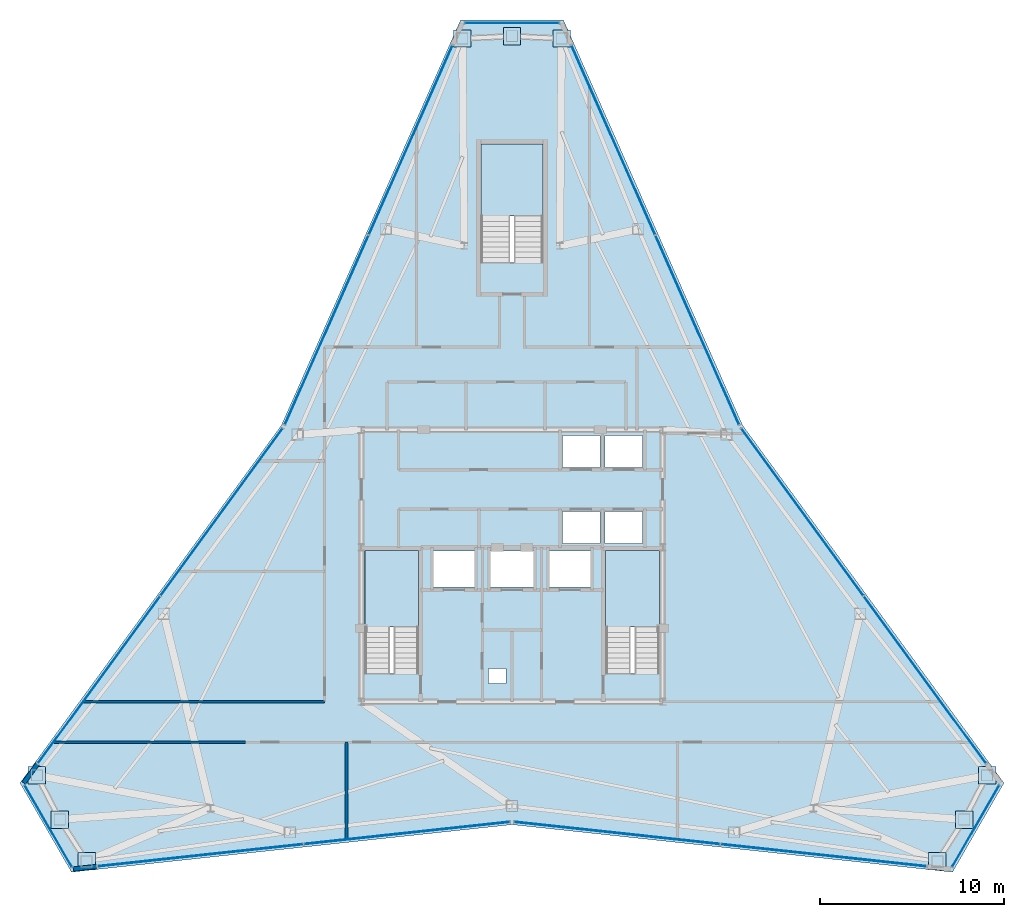
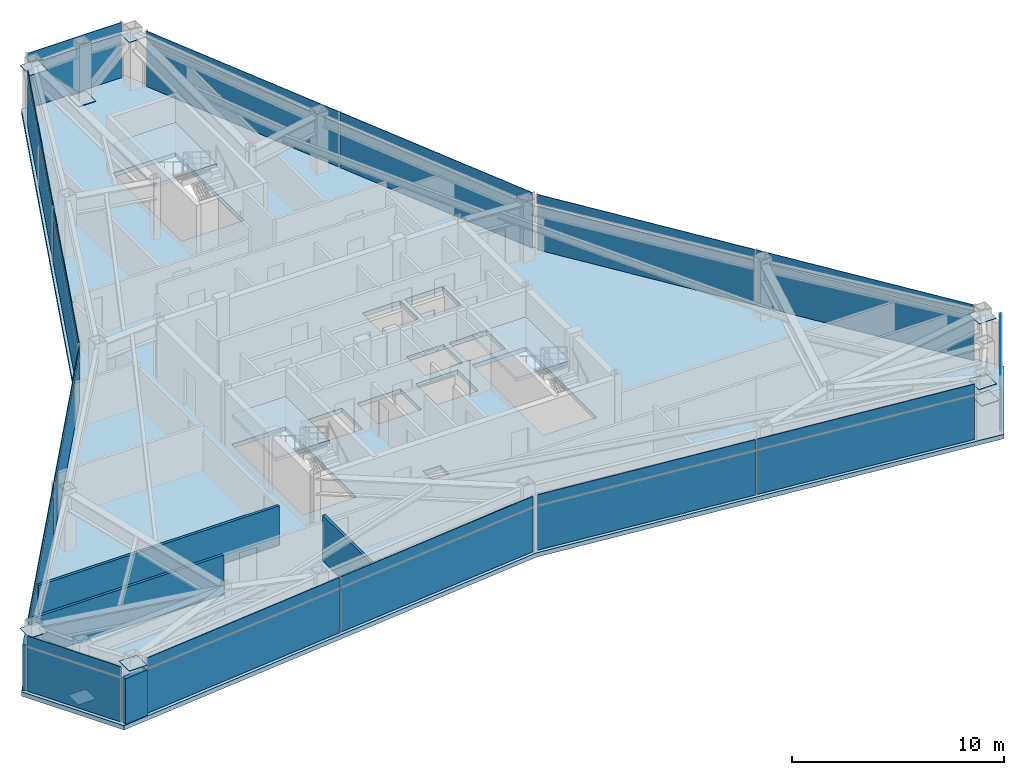
# One storey, part 8 of 12: 39 plates, 5 walls, 4 slabs, 12 elements without a shape of their own.
"""IFC4 building model written with IfcOpenShell, lengths in metres."""

from ifc_helpers import new_model, si_unit, direction, frame, frame_2d, origin, origin_2d, place, context, subcontext, project, spatial, polyline, rectangle, outline, extrude, source, transform, mapped, material, layer, layer_set, type_object, type_shapes, element, aggregate, save


model = new_model("IFC4")

# Units and contexts
model_context = context("Model", 3, precision=1e-05, world=origin(), true_north=direction((0.0, 1.0)))
body_context = subcontext(model_context, "Body", "Model", "MODEL_VIEW")
ifc_project = project(units=[si_unit("LENGTHUNIT", "METRE"), si_unit("AREAUNIT", "SQUARE_METRE"), si_unit("VOLUMEUNIT", "CUBIC_METRE"), si_unit("PLANEANGLEUNIT", "RADIAN"), si_unit("MASSUNIT", "GRAM", prefix="KILO")], contexts=[model_context])

# Site, building, storey
site_placement = place(None, origin())
site = spatial("IfcSite", under=ifc_project, at=site_placement, CompositionType="ELEMENT")
building_placement = place(site_placement, origin())
building = spatial("IfcBuilding", under=site, at=building_placement, Name="Varakhsha Concourse Tower", CompositionType="ELEMENT")
storey_placement = place(building_placement, frame((0.0, 0.0, 272.5)))
storey = spatial("IfcBuildingStorey", under=building, at=storey_placement, Name="L77", CompositionType="ELEMENT", Elevation=272.5)

# Slab
ifc_material_1 = material(Name="Concrete fc 45 MPa", Category="concrete")
ifc_layer_1 = layer(ifc_material_1, 0.25, Name="SL-FLR-250")
ifc_layer_set_1 = layer_set([ifc_layer_1], Name="Concrete fc 45 MPa")
slab_type_1 = type_object("IfcSlabType", Name="SL-FLR-250", PredefinedType="FLOOR", material=ifc_layer_set_1)
slab_1_placement = place(storey_placement, frame((0.0, 0.0, -0.25)))
element("IfcSlab", 1, at=slab_1_placement, inside=storey, type_object=slab_type_1, Name="L77 Composite Structural Slab", PredefinedType="FLOOR", context=body_context, shape_type="SweptSolid", body=[
    extrude(outline(polyline([(42.800048828125, 53.4970703125), (37.199951171875, 53.4970703125), (27.45263671875, 31.444091796875), (13.22802734375, 11.976318359375), (16.028076171875, 7.126708984375), (40.0, 9.711669921875), (63.971923828125, 7.126708984375), (66.77197265625, 11.976318359375), (52.54736328125, 31.444091796875), (42.800048828125, 53.4970703125)]), holes=[polyline([(34.919921875, 17.93994140625), (34.919921875, 24.6298828125), (32.0, 24.6298828125), (32.0, 17.93994140625), (34.919921875, 17.93994140625)]), polyline([(48.02001953125, 17.93994140625), (48.02001953125, 24.6298828125), (45.10009765625, 24.6298828125), (45.10009765625, 17.93994140625), (48.02001953125, 17.93994140625)]), polyline([(41.699951171875, 40.300048828125), (41.699951171875, 46.75), (38.300048828125, 46.75), (38.300048828125, 40.300048828125), (41.699951171875, 40.300048828125)]), polyline([(42.739990234375, 29.159912109375), (44.780029296875, 29.159912109375), (44.780029296875, 30.89990234375), (42.739990234375, 30.89990234375), (42.739990234375, 29.159912109375)]), polyline([(45.06005859375, 29.159912109375), (47.10009765625, 29.159912109375), (47.10009765625, 30.89990234375), (45.06005859375, 30.89990234375), (45.06005859375, 29.159912109375)]), polyline([(42.739990234375, 25.0), (44.780029296875, 25.0), (44.780029296875, 26.739990234375), (42.739990234375, 26.739990234375), (42.739990234375, 25.0)]), polyline([(45.06005859375, 25.0), (47.10009765625, 25.0), (47.10009765625, 26.739990234375), (45.06005859375, 26.739990234375), (45.06005859375, 25.0)]), polyline([(35.7099609375, 22.639892578125), (37.989990234375, 22.639892578125), (37.989990234375, 24.60009765625), (35.7099609375, 24.60009765625), (35.7099609375, 22.639892578125)]), polyline([(42.010009765625, 22.639892578125), (44.2900390625, 22.639892578125), (44.2900390625, 24.60009765625), (42.010009765625, 24.60009765625), (42.010009765625, 22.639892578125)]), polyline([(38.81005859375, 22.639892578125), (41.18994140625, 22.639892578125), (41.18994140625, 24.60009765625), (38.81005859375, 24.60009765625), (38.81005859375, 22.639892578125)]), polyline([(38.719970703125, 17.39990234375), (39.679931640625, 17.39990234375), (39.679931640625, 18.199951171875), (38.719970703125, 18.199951171875), (38.719970703125, 17.39990234375)])]), origin(), (0.0, 0.0, 1.0), 0.25),
])

# Stair, slab
stair_type_1 = type_object("IfcStairType", Name="ST-DOGLEG-1360", PredefinedType="HALF_TURN_STAIR", material=ifc_material_1)
stair_1_placement = place(storey_placement, origin())
stair_1 = element("IfcStair", 2, at=stair_1_placement, inside=storey, type_object=stair_type_1, Name="L77 Protected Exit Stair ST1", PredefinedType="HALF_TURN_STAIR")
ifc_layer_2 = layer(ifc_material_1, 0.199951171875, Name="SL-LAND-200")
ifc_layer_set_2 = layer_set([ifc_layer_2], Name="Concrete fc 45 MPa")
slab_type_2 = type_object("IfcSlabType", Name="SL-LAND-200", PredefinedType="LANDING", material=ifc_layer_set_2)
slab_2_placement = place(storey_placement, frame((0.0, 0.0, 1.550048828125)))
slab_2 = element("IfcSlab", 3, at=slab_2_placement, type_object=slab_type_2, Name="ST1 landing 1", PredefinedType="LANDING", context=body_context, shape_type="SweptSolid", body=[
    extrude(outline(polyline([(34.919921875, 20.4599609375), (34.919921875, 24.6298828125), (32.0, 24.6298828125), (32.0, 20.4599609375), (34.919921875, 20.4599609375)])), origin(), (0.0, 0.0, 1.0), 0.199951171875),
])
aggregate(stair_1, [slab_2])

stair_2_placement = place(storey_placement, origin())
stair_2 = element("IfcStair", 4, at=stair_2_placement, inside=storey, type_object=stair_type_1, Name="L77 Protected Exit Stair ST2", PredefinedType="HALF_TURN_STAIR")
slab_3_placement = place(storey_placement, frame((0.0, 0.0, 1.550048828125)))
slab_3 = element("IfcSlab", 5, at=slab_3_placement, type_object=slab_type_2, Name="ST2 landing 1", PredefinedType="LANDING", context=body_context, shape_type="SweptSolid", body=[
    extrude(outline(polyline([(48.02001953125, 20.4599609375), (48.02001953125, 24.6298828125), (45.10009765625, 24.6298828125), (45.10009765625, 20.4599609375), (48.02001953125, 20.4599609375)])), origin(), (0.0, 0.0, 1.0), 0.199951171875),
])
aggregate(stair_2, [slab_3])

stair_type_2 = type_object("IfcStairType", Name="ST-DOGLEG-1600", PredefinedType="HALF_TURN_STAIR", material=ifc_material_1)
stair_3_placement = place(storey_placement, origin())
stair_3 = element("IfcStair", 6, at=stair_3_placement, inside=storey, type_object=stair_type_2, Name="L77 Protected Exit Stair ST5", PredefinedType="HALF_TURN_STAIR")
slab_4_placement = place(storey_placement, frame((0.0, 0.0, 1.550048828125)))
slab_4 = element("IfcSlab", 7, at=slab_4_placement, type_object=slab_type_2, Name="ST5 landing 1", PredefinedType="LANDING", context=body_context, shape_type="SweptSolid", body=[
    extrude(outline(polyline([(41.699951171875, 42.820068359375), (41.699951171875, 46.75), (38.300048828125, 46.75), (38.300048828125, 42.820068359375), (41.699951171875, 42.820068359375)])), origin(), (0.0, 0.0, 1.0), 0.199951171875),
])
aggregate(stair_3, [slab_4])

# Plates
ifc_material_2 = material(Name="Structural Steel ASTM A572 Grade 50", Category="steel")
ifc_layer_3 = layer(ifc_material_2, 0.030029296875, Name="PL-ENDCAP-950")
ifc_layer_set_3 = layer_set([ifc_layer_3], Name="Structural Steel ASTM A572 Grade 50")
plate_type_1 = type_object("IfcPlateType", Name="PL-ENDCAP-950", PredefinedType="USERDEFINED", material=ifc_layer_set_3)
shared_shape_1 = source(origin(), body_context, "Body", "SweptSolid", [
    extrude(rectangle(XDim=0.949951171875, YDim=0.949951171875, at=origin_2d()), origin(), (0.0, 0.0, 1.0), 0.030029296875),
])
type_shapes(plate_type_1, [shared_shape_1])
for number, where, z_axis, x_axis, name in (
    (8, (40.0, 52.616943359375, 0.10498046875), (0.0, 0.0, 1.0), (1.0, 0.0, 0.0), "Hollow Section End Cap GP-NODE-L77-0817"),
    (9, (42.70361328125, 52.489501953125, 2.93505859375), (0.0, 0.0, 1.0), (1.0, 0.0, 0.0), "Hollow Section End Cap GP-NODE-L77-0818"),
    (10, (37.29638671875, 52.489501953125, 2.93505859375), (0.0, 0.0, 1.0), (1.0, 0.0, 0.0), "Hollow Section End Cap GP-NODE-L77-0819"),
    (11, (15.39013671875, 9.991455078125, 0.10498046875), (0.0, 0.0, 1.0), (1.0, 0.0, 0.0), "Hollow Section End Cap GP-NODE-L77-0820"),
    (12, (14.148681640625, 12.396728515625, 2.93505859375), (0.0, 0.0, 1.0), (1.0, 0.0, 0.0), "Hollow Section End Cap GP-NODE-L77-0821"),
    (13, (16.852294921875, 7.713623046875, 2.93505859375), (0.0, 0.0, 1.0), (1.0, 0.0, 0.0), "Hollow Section End Cap GP-NODE-L77-0822"),
    (14, (64.60986328125, 9.991455078125, 0.10498046875), (0.0, 0.0, 1.0), (1.0, 0.0, 0.0), "Hollow Section End Cap GP-NODE-L77-0823"),
    (15, (63.147705078125, 7.713623046875, 2.93505859375), (0.0, 0.0, 1.0), (1.0, 0.0, 0.0), "Hollow Section End Cap GP-NODE-L77-0824"),
    (16, (65.851318359375, 12.396728515625, 2.93505859375), (0.0, 0.0, 1.0), (1.0, 0.0, 0.0), "Hollow Section End Cap GP-NODE-L77-0825"),
):
    element("IfcPlate", number, at=place(storey_placement, frame(where, z_axis=z_axis, x_axis=x_axis)), inside=storey, type_object=plate_type_1, Name=name, ObjectType="END PLATE", PredefinedType="USERDEFINED", context=body_context, shape_type="MappedRepresentation", body=[
        mapped(shared_shape_1, transform((0.0, 0.0, 0.0), scale=1.0)),
    ])

# Curtain wall, plate
ifc_material_3 = material(Name="Anodised Bronze Architectural Aluminium AA 6063-T6", Category="aluminium")
ifc_layer_4 = layer(ifc_material_3, 0.199951171875, Name="CW-SYS-05")
ifc_layer_set_4 = layer_set([ifc_layer_4], Name="Anodised Bronze Architectural Aluminium AA 6063-T6")
curtain_wall_type = type_object("IfcCurtainWallType", Name="CW-SYS-05", PredefinedType="NOTDEFINED", material=ifc_layer_set_4)
curtain_wall_1_placement = place(storey_placement, origin())
curtain_wall_1 = element("IfcCurtainWall", 17, at=curtain_wall_1_placement, inside=storey, type_object=curtain_wall_type, Name="L77 Chamfer Curtain Wall F1", PredefinedType="NOTDEFINED")
ifc_material_4 = material(Name="Insulated Anodised Bronze Aluminium Spandrel 36 mm", Category="aluminium")
ifc_layer_5 = layer(ifc_material_4, 0.035888671875, Name="CWP-SPN-36")
ifc_layer_set_5 = layer_set([ifc_layer_5], Name="Insulated Anodised Bronze Aluminium Spandrel 36 mm")
plate_type_2 = type_object("IfcPlateType", Name="CWP-SPN-36", PredefinedType="USERDEFINED", material=ifc_layer_set_5)
shared_shape_2 = source(origin(), body_context, "Body", "SweptSolid", [
    extrude(rectangle(XDim=5.091064453125, YDim=0.035888671875, at=origin_2d()), origin(), (0.0, 0.0, 1.0), 2.535888671875),
])
plate_1_placement = place(storey_placement, frame((40.0, 53.3369140625, 0.0322265625), z_axis=(0.0, 0.0, 1.0), x_axis=(1.0, 0.0, 0.0)))
plate_1 = element("IfcPlate", 18, at=plate_1_placement, type_object=plate_type_2, Name="CW-L77-F1 Panel 00-00", ObjectType="SPANDREL", PredefinedType="USERDEFINED", context=body_context, shape_type="MappedRepresentation", body=[
    mapped(shared_shape_2, transform((0.0, 0.0, 0.0), scale=1.0)),
])

curtain_wall_2_placement = place(storey_placement, origin())
curtain_wall_2 = element("IfcCurtainWall", 19, at=curtain_wall_2_placement, inside=storey, type_object=curtain_wall_type, Name="L77 Chamfer Curtain Wall F4", PredefinedType="NOTDEFINED")
plate_2_placement = place(storey_placement, frame((14.7666015625, 9.631591796875, 0.0322265625), z_axis=(0.0, 0.0, 1.0), x_axis=(-0.499990930976, 0.866030639725, 0.0)))
plate_2 = element("IfcPlate", 20, at=plate_2_placement, type_object=plate_type_2, Name="CW-L77-F4 Panel 00-00", ObjectType="SPANDREL", PredefinedType="USERDEFINED", context=body_context, shape_type="MappedRepresentation", body=[
    mapped(shared_shape_2, transform((0.0, 0.0, 0.0), scale=1.0)),
])

curtain_wall_3_placement = place(storey_placement, origin())
curtain_wall_3 = element("IfcCurtainWall", 21, at=curtain_wall_3_placement, inside=storey, type_object=curtain_wall_type, Name="L77 Chamfer Curtain Wall F7", PredefinedType="NOTDEFINED")
plate_3_placement = place(storey_placement, frame((65.2333984375, 9.631591796875, 0.0322265625), z_axis=(0.0, 0.0, 1.0), x_axis=(-0.499990930976, -0.866030639725, 0.0)))
plate_3 = element("IfcPlate", 22, at=plate_3_placement, type_object=plate_type_2, Name="CW-L77-F7 Panel 00-00", ObjectType="SPANDREL", PredefinedType="USERDEFINED", context=body_context, shape_type="MappedRepresentation", body=[
    mapped(shared_shape_2, transform((0.0, 0.0, 0.0), scale=1.0)),
])

# Plate
shared_shape_3 = source(origin(), body_context, "Body", "SweptSolid", [
    extrude(rectangle(XDim=5.091064453125, YDim=0.035888671875, at=origin_2d()), origin(), (0.0, 0.0, 1.0), 0.5859375),
])
plate_4_placement = place(storey_placement, frame((40.0, 53.3369140625, 2.632080078125), z_axis=(0.0, 0.0, 1.0), x_axis=(1.0, 0.0, 0.0)))
plate_4 = element("IfcPlate", 23, at=plate_4_placement, type_object=plate_type_2, Name="CW-L77-F1 Panel 00-01", ObjectType="SPANDREL", PredefinedType="USERDEFINED", context=body_context, shape_type="MappedRepresentation", body=[
    mapped(shared_shape_3, transform((0.0, 0.0, 0.0), scale=1.0)),
])

aggregate(curtain_wall_1, [plate_1, plate_4])

plate_5_placement = place(storey_placement, frame((14.7666015625, 9.631591796875, 2.632080078125), z_axis=(0.0, 0.0, 1.0), x_axis=(-0.499990930976, 0.866030639725, 0.0)))
plate_5 = element("IfcPlate", 24, at=plate_5_placement, type_object=plate_type_2, Name="CW-L77-F4 Panel 00-01", ObjectType="SPANDREL", PredefinedType="USERDEFINED", context=body_context, shape_type="MappedRepresentation", body=[
    mapped(shared_shape_3, transform((0.0, 0.0, 0.0), scale=1.0)),
])

aggregate(curtain_wall_2, [plate_2, plate_5])

plate_6_placement = place(storey_placement, frame((65.2333984375, 9.631591796875, 2.632080078125), z_axis=(0.0, 0.0, 1.0), x_axis=(-0.499990930976, -0.866030639725, 0.0)))
plate_6 = element("IfcPlate", 25, at=plate_6_placement, type_object=plate_type_2, Name="CW-L77-F7 Panel 00-01", ObjectType="SPANDREL", PredefinedType="USERDEFINED", context=body_context, shape_type="MappedRepresentation", body=[
    mapped(shared_shape_3, transform((0.0, 0.0, 0.0), scale=1.0)),
])

aggregate(curtain_wall_3, [plate_3, plate_6])

# Curtain wall, plate
curtain_wall_4_placement = place(storey_placement, origin())
curtain_wall_4 = element("IfcCurtainWall", 26, at=curtain_wall_4_placement, inside=storey, type_object=curtain_wall_type, Name="L77 Crystal Curtain Wall F2", PredefinedType="NOTDEFINED")
ifc_material_5 = material(Name="Low-E Triple Insulating Glass IGU 44 mm", Category="glass")
ifc_layer_6 = layer(ifc_material_5, 0.0439453125, Name="CWP-IGU-44")
ifc_layer_set_6 = layer_set([ifc_layer_6], Name="Low-E Triple Insulating Glass IGU 44 mm")
plate_type_3 = type_object("IfcPlateType", Name="CWP-IGU-44", PredefinedType="CURTAIN_PANEL", material=ifc_layer_set_6)
shared_shape_4 = source(origin(), body_context, "Body", "SweptSolid", [
    extrude(rectangle(XDim=11.236572265625, YDim=0.0439453125, at=origin_2d()), origin(), (0.0, 0.0, 1.0), 2.535888671875),
])
plate_7_placement = place(storey_placement, frame((29.91650390625, 36.622802734375, 0.0322265625), z_axis=(0.0, 0.0, 1.0), x_axis=(0.404273357549, 0.914638208461, 0.0)))
plate_7 = element("IfcPlate", 27, at=plate_7_placement, type_object=plate_type_3, Name="CW-L77-F2 Panel 00-00", PredefinedType="CURTAIN_PANEL", context=body_context, shape_type="MappedRepresentation", body=[
    mapped(shared_shape_4, transform((0.0, 0.0, 0.0), scale=1.0)),
])

curtain_wall_5_placement = place(storey_placement, origin())
curtain_wall_5 = element("IfcCurtainWall", 28, at=curtain_wall_5_placement, inside=storey, type_object=curtain_wall_type, Name="L77 Crystal Curtain Wall F9", PredefinedType="NOTDEFINED")
plate_8_placement = place(storey_placement, frame((45.512939453125, 46.96337890625, 0.0322265625), z_axis=(0.0, 0.0, 1.0), x_axis=(0.404273357549, -0.914638208461, 0.0)))
plate_8 = element("IfcPlate", 29, at=plate_8_placement, type_object=plate_type_3, Name="CW-L77-F9 Panel 00-00", PredefinedType="CURTAIN_PANEL", context=body_context, shape_type="MappedRepresentation", body=[
    mapped(shared_shape_4, transform((0.0, 0.0, 0.0), scale=1.0)),
])

# Plate
shared_shape_5 = source(origin(), body_context, "Body", "SweptSolid", [
    extrude(rectangle(XDim=11.236572265625, YDim=0.035888671875, at=origin_2d()), origin(), (0.0, 0.0, 1.0), 0.5859375),
])
plate_9_placement = place(storey_placement, frame((29.91650390625, 36.622802734375, 2.632080078125), z_axis=(0.0, 0.0, 1.0), x_axis=(0.404273357549, 0.914638208461, 0.0)))
plate_9 = element("IfcPlate", 30, at=plate_9_placement, type_object=plate_type_2, Name="CW-L77-F2 Panel 00-01", ObjectType="SPANDREL", PredefinedType="USERDEFINED", context=body_context, shape_type="MappedRepresentation", body=[
    mapped(shared_shape_5, transform((0.0, 0.0, 0.0), scale=1.0)),
])

plate_10_placement = place(storey_placement, frame((45.512939453125, 46.96337890625, 2.632080078125), z_axis=(0.0, 0.0, 1.0), x_axis=(0.404273357549, -0.914638208461, 0.0)))
plate_10 = element("IfcPlate", 31, at=plate_10_placement, type_object=plate_type_2, Name="CW-L77-F9 Panel 00-01", ObjectType="SPANDREL", PredefinedType="USERDEFINED", context=body_context, shape_type="MappedRepresentation", body=[
    mapped(shared_shape_5, transform((0.0, 0.0, 0.0), scale=1.0)),
])

shared_shape_6 = source(origin(), body_context, "Body", "SweptSolid", [
    extrude(rectangle(XDim=11.236328125, YDim=0.0439453125, at=origin_2d()), origin(), (0.0, 0.0, 1.0), 2.535888671875),
])
type_shapes(plate_type_3, [shared_shape_4, shared_shape_6])
plate_11_placement = place(storey_placement, frame((34.487060546875, 46.96337890625, 0.0322265625), z_axis=(0.0, 0.0, 1.0), x_axis=(0.404273357549, 0.914638208461, 0.0)))
plate_11 = element("IfcPlate", 32, at=plate_11_placement, type_object=plate_type_3, Name="CW-L77-F2 Panel 01-00", PredefinedType="CURTAIN_PANEL", context=body_context, shape_type="MappedRepresentation", body=[
    mapped(shared_shape_6, transform((0.0, 0.0, 0.0), scale=1.0)),
])

# Curtain wall, plates
curtain_wall_6_placement = place(storey_placement, origin())
curtain_wall_6 = element("IfcCurtainWall", 33, at=curtain_wall_6_placement, inside=storey, type_object=curtain_wall_type, Name="L77 Crystal Curtain Wall F3", PredefinedType="NOTDEFINED")
plate_12_placement = place(storey_placement, frame((17.530029296875, 17.5927734375, 0.0322265625), z_axis=(0.0, 0.0, 1.0), x_axis=(0.589960426558, 0.807432161296, 0.0)))
plate_12 = element("IfcPlate", 34, at=plate_12_placement, type_object=plate_type_3, Name="CW-L77-F3 Panel 00-00", PredefinedType="CURTAIN_PANEL", context=body_context, shape_type="MappedRepresentation", body=[
    mapped(shared_shape_6, transform((0.0, 0.0, 0.0), scale=1.0)),
])
plate_13_placement = place(storey_placement, frame((24.19970703125, 26.720947265625, 0.0322265625), z_axis=(0.0, 0.0, 1.0), x_axis=(0.589960426558, 0.807432161296, 0.0)))
plate_13 = element("IfcPlate", 35, at=plate_13_placement, type_object=plate_type_3, Name="CW-L77-F3 Panel 01-00", PredefinedType="CURTAIN_PANEL", context=body_context, shape_type="MappedRepresentation", body=[
    mapped(shared_shape_6, transform((0.0, 0.0, 0.0), scale=1.0)),
])

curtain_wall_7_placement = place(storey_placement, origin())
curtain_wall_7 = element("IfcCurtainWall", 36, at=curtain_wall_7_placement, inside=storey, type_object=curtain_wall_type, Name="L77 Crystal Curtain Wall F5", PredefinedType="NOTDEFINED")
plate_14_placement = place(storey_placement, frame((34.283203125, 9.256103515625, 0.0322265625), z_axis=(0.0, 0.0, 1.0), x_axis=(-0.994236415458, -0.10720984179, 0.0)))
plate_14 = element("IfcPlate", 37, at=plate_14_placement, type_object=plate_type_3, Name="CW-L77-F5 Panel 00-00", PredefinedType="CURTAIN_PANEL", context=body_context, shape_type="MappedRepresentation", body=[
    mapped(shared_shape_6, transform((0.0, 0.0, 0.0), scale=1.0)),
])
plate_15_placement = place(storey_placement, frame((23.04296875, 8.0439453125, 0.0322265625), z_axis=(0.0, 0.0, 1.0), x_axis=(-0.994236415458, -0.10720984179, 0.0)))
plate_15 = element("IfcPlate", 38, at=plate_15_placement, type_object=plate_type_3, Name="CW-L77-F5 Panel 01-00", PredefinedType="CURTAIN_PANEL", context=body_context, shape_type="MappedRepresentation", body=[
    mapped(shared_shape_6, transform((0.0, 0.0, 0.0), scale=1.0)),
])

curtain_wall_8_placement = place(storey_placement, origin())
curtain_wall_8 = element("IfcCurtainWall", 39, at=curtain_wall_8_placement, inside=storey, type_object=curtain_wall_type, Name="L77 Crystal Curtain Wall F6", PredefinedType="NOTDEFINED")
plate_16_placement = place(storey_placement, frame((56.95703125, 8.0439453125, 0.0322265625), z_axis=(0.0, 0.0, 1.0), x_axis=(-0.994236415458, 0.10720984179, 0.0)))
plate_16 = element("IfcPlate", 40, at=plate_16_placement, type_object=plate_type_3, Name="CW-L77-F6 Panel 00-00", PredefinedType="CURTAIN_PANEL", context=body_context, shape_type="MappedRepresentation", body=[
    mapped(shared_shape_6, transform((0.0, 0.0, 0.0), scale=1.0)),
])
plate_17_placement = place(storey_placement, frame((45.716796875, 9.256103515625, 0.0322265625), z_axis=(0.0, 0.0, 1.0), x_axis=(-0.994236415458, 0.10720984179, 0.0)))
plate_17 = element("IfcPlate", 41, at=plate_17_placement, type_object=plate_type_3, Name="CW-L77-F6 Panel 01-00", PredefinedType="CURTAIN_PANEL", context=body_context, shape_type="MappedRepresentation", body=[
    mapped(shared_shape_6, transform((0.0, 0.0, 0.0), scale=1.0)),
])

curtain_wall_9_placement = place(storey_placement, origin())
curtain_wall_9 = element("IfcCurtainWall", 42, at=curtain_wall_9_placement, inside=storey, type_object=curtain_wall_type, Name="L77 Crystal Curtain Wall F8", PredefinedType="NOTDEFINED")
plate_18_placement = place(storey_placement, frame((55.80029296875, 26.720947265625, 0.0322265625), z_axis=(0.0, 0.0, 1.0), x_axis=(0.589960426558, -0.807432161296, 0.0)))
plate_18 = element("IfcPlate", 43, at=plate_18_placement, type_object=plate_type_3, Name="CW-L77-F8 Panel 00-00", PredefinedType="CURTAIN_PANEL", context=body_context, shape_type="MappedRepresentation", body=[
    mapped(shared_shape_6, transform((0.0, 0.0, 0.0), scale=1.0)),
])
plate_19_placement = place(storey_placement, frame((62.469970703125, 17.5927734375, 0.0322265625), z_axis=(0.0, 0.0, 1.0), x_axis=(0.589960426558, -0.807432161296, 0.0)))
plate_19 = element("IfcPlate", 44, at=plate_19_placement, type_object=plate_type_3, Name="CW-L77-F8 Panel 01-00", PredefinedType="CURTAIN_PANEL", context=body_context, shape_type="MappedRepresentation", body=[
    mapped(shared_shape_6, transform((0.0, 0.0, 0.0), scale=1.0)),
])

# Plate
plate_20_placement = place(storey_placement, frame((50.08349609375, 36.622802734375, 0.0322265625), z_axis=(0.0, 0.0, 1.0), x_axis=(0.404273357549, -0.914638208461, 0.0)))
plate_20 = element("IfcPlate", 45, at=plate_20_placement, type_object=plate_type_3, Name="CW-L77-F9 Panel 01-00", PredefinedType="CURTAIN_PANEL", context=body_context, shape_type="MappedRepresentation", body=[
    mapped(shared_shape_6, transform((0.0, 0.0, 0.0), scale=1.0)),
])

shared_shape_7 = source(origin(), body_context, "Body", "SweptSolid", [
    extrude(rectangle(XDim=11.236328125, YDim=0.035888671875, at=origin_2d()), origin(), (0.0, 0.0, 1.0), 0.5859375),
])
type_shapes(plate_type_2, [shared_shape_2, shared_shape_3, shared_shape_5, shared_shape_7])
plate_21_placement = place(storey_placement, frame((34.487060546875, 46.96337890625, 2.632080078125), z_axis=(0.0, 0.0, 1.0), x_axis=(0.404273357549, 0.914638208461, 0.0)))
plate_21 = element("IfcPlate", 46, at=plate_21_placement, type_object=plate_type_2, Name="CW-L77-F2 Panel 01-01", ObjectType="SPANDREL", PredefinedType="USERDEFINED", context=body_context, shape_type="MappedRepresentation", body=[
    mapped(shared_shape_7, transform((0.0, 0.0, 0.0), scale=1.0)),
])

aggregate(curtain_wall_4, [plate_7, plate_9, plate_11, plate_21])

plate_22_placement = place(storey_placement, frame((17.530029296875, 17.5927734375, 2.632080078125), z_axis=(0.0, 0.0, 1.0), x_axis=(0.589960426558, 0.807432161296, 0.0)))
plate_22 = element("IfcPlate", 47, at=plate_22_placement, type_object=plate_type_2, Name="CW-L77-F3 Panel 00-01", ObjectType="SPANDREL", PredefinedType="USERDEFINED", context=body_context, shape_type="MappedRepresentation", body=[
    mapped(shared_shape_7, transform((0.0, 0.0, 0.0), scale=1.0)),
])

plate_23_placement = place(storey_placement, frame((24.19970703125, 26.720947265625, 2.632080078125), z_axis=(0.0, 0.0, 1.0), x_axis=(0.589960426558, 0.807432161296, 0.0)))
plate_23 = element("IfcPlate", 48, at=plate_23_placement, type_object=plate_type_2, Name="CW-L77-F3 Panel 01-01", ObjectType="SPANDREL", PredefinedType="USERDEFINED", context=body_context, shape_type="MappedRepresentation", body=[
    mapped(shared_shape_7, transform((0.0, 0.0, 0.0), scale=1.0)),
])

aggregate(curtain_wall_6, [plate_12, plate_22, plate_13, plate_23])

plate_24_placement = place(storey_placement, frame((34.283203125, 9.256103515625, 2.632080078125), z_axis=(0.0, 0.0, 1.0), x_axis=(-0.994236415458, -0.10720984179, 0.0)))
plate_24 = element("IfcPlate", 49, at=plate_24_placement, type_object=plate_type_2, Name="CW-L77-F5 Panel 00-01", ObjectType="SPANDREL", PredefinedType="USERDEFINED", context=body_context, shape_type="MappedRepresentation", body=[
    mapped(shared_shape_7, transform((0.0, 0.0, 0.0), scale=1.0)),
])

plate_25_placement = place(storey_placement, frame((23.04296875, 8.0439453125, 2.632080078125), z_axis=(0.0, 0.0, 1.0), x_axis=(-0.994236415458, -0.10720984179, 0.0)))
plate_25 = element("IfcPlate", 50, at=plate_25_placement, type_object=plate_type_2, Name="CW-L77-F5 Panel 01-01", ObjectType="SPANDREL", PredefinedType="USERDEFINED", context=body_context, shape_type="MappedRepresentation", body=[
    mapped(shared_shape_7, transform((0.0, 0.0, 0.0), scale=1.0)),
])

aggregate(curtain_wall_7, [plate_14, plate_24, plate_15, plate_25])

plate_26_placement = place(storey_placement, frame((56.95703125, 8.0439453125, 2.632080078125), z_axis=(0.0, 0.0, 1.0), x_axis=(-0.994236415458, 0.10720984179, 0.0)))
plate_26 = element("IfcPlate", 51, at=plate_26_placement, type_object=plate_type_2, Name="CW-L77-F6 Panel 00-01", ObjectType="SPANDREL", PredefinedType="USERDEFINED", context=body_context, shape_type="MappedRepresentation", body=[
    mapped(shared_shape_7, transform((0.0, 0.0, 0.0), scale=1.0)),
])

plate_27_placement = place(storey_placement, frame((45.716796875, 9.256103515625, 2.632080078125), z_axis=(0.0, 0.0, 1.0), x_axis=(-0.994236415458, 0.10720984179, 0.0)))
plate_27 = element("IfcPlate", 52, at=plate_27_placement, type_object=plate_type_2, Name="CW-L77-F6 Panel 01-01", ObjectType="SPANDREL", PredefinedType="USERDEFINED", context=body_context, shape_type="MappedRepresentation", body=[
    mapped(shared_shape_7, transform((0.0, 0.0, 0.0), scale=1.0)),
])

aggregate(curtain_wall_8, [plate_16, plate_26, plate_17, plate_27])

plate_28_placement = place(storey_placement, frame((55.80029296875, 26.720947265625, 2.632080078125), z_axis=(0.0, 0.0, 1.0), x_axis=(0.589960426558, -0.807432161296, 0.0)))
plate_28 = element("IfcPlate", 53, at=plate_28_placement, type_object=plate_type_2, Name="CW-L77-F8 Panel 00-01", ObjectType="SPANDREL", PredefinedType="USERDEFINED", context=body_context, shape_type="MappedRepresentation", body=[
    mapped(shared_shape_7, transform((0.0, 0.0, 0.0), scale=1.0)),
])

plate_29_placement = place(storey_placement, frame((62.469970703125, 17.5927734375, 2.632080078125), z_axis=(0.0, 0.0, 1.0), x_axis=(0.589960426558, -0.807432161296, 0.0)))
plate_29 = element("IfcPlate", 54, at=plate_29_placement, type_object=plate_type_2, Name="CW-L77-F8 Panel 01-01", ObjectType="SPANDREL", PredefinedType="USERDEFINED", context=body_context, shape_type="MappedRepresentation", body=[
    mapped(shared_shape_7, transform((0.0, 0.0, 0.0), scale=1.0)),
])

aggregate(curtain_wall_9, [plate_18, plate_28, plate_19, plate_29])

plate_30_placement = place(storey_placement, frame((50.08349609375, 36.622802734375, 2.632080078125), z_axis=(0.0, 0.0, 1.0), x_axis=(0.404273357549, -0.914638208461, 0.0)))
plate_30 = element("IfcPlate", 55, at=plate_30_placement, type_object=plate_type_2, Name="CW-L77-F9 Panel 01-01", ObjectType="SPANDREL", PredefinedType="USERDEFINED", context=body_context, shape_type="MappedRepresentation", body=[
    mapped(shared_shape_7, transform((0.0, 0.0, 0.0), scale=1.0)),
])

aggregate(curtain_wall_5, [plate_8, plate_10, plate_20, plate_30])

# Walls
ifc_layer_7 = layer(ifc_material_1, 0.239990234375, Name="WL-EXT-CRN-240")
ifc_layer_set_7 = layer_set([ifc_layer_7], Name="Concrete fc 45 MPa")
wall_type_1 = type_object("IfcWallType", Name="WL-EXT-CRN-240", PredefinedType="SHEAR", material=ifc_layer_set_7)
for number, where, z_axis, x_axis, name in (
    (56, (14.17578125, 13.002197265625, 0.0), (0.0, 0.0, 1.0), (-0.589920134733, -0.807461599481, 0.0), "L77 Wind-Corner Shoulder Wall F3"),
    (57, (16.12841796875, 7.29833984375, 0.0), (0.0, 0.0, 1.0), (0.994223700758, 0.107327689113, 0.0), "L77 Wind-Corner Shoulder Wall F5"),
):
    element("IfcWall", number, at=place(storey_placement, frame(where, z_axis=z_axis, x_axis=x_axis)), inside=storey, type_object=wall_type_1, Name=name, PredefinedType="SHEAR", context=body_context, shape_type="SweptSolid", body=[
        extrude(rectangle(XDim=1.269287109375, YDim=0.239990234375, at=frame_2d((0.634765625, 0.0))), origin(), (0.0, 0.0, 1.0), 2.623046875),
    ])
ifc_material_6 = material(Name="Fire-Rated Type X Gypsum Partition Assembly", Category="gypsum")
ifc_layer_8 = layer(ifc_material_6, 0.14990234375, Name="WL-PART-150")
ifc_layer_set_8 = layer_set([ifc_layer_8], Name="Fire-Rated Type X Gypsum Partition Assembly")
wall_type_2 = type_object("IfcWallType", Name="WL-PART-150", PredefinedType="PARTITIONING", material=ifc_layer_set_8)
wall_1_placement = place(storey_placement, frame((15.05712890625, 14.199951171875, 0.0), z_axis=(0.0, 0.0, 1.0), x_axis=(1.0, 0.0, 0.0)))
element("IfcWall", 58, at=wall_1_placement, inside=storey, type_object=wall_type_2, Name="L77 Wall CRW-SGAL-SW-L77", PredefinedType="PARTITIONING", context=body_context, shape_type="SweptSolid", body=[
    extrude(rectangle(XDim=10.44287109375, YDim=0.14990234375, at=frame_2d((5.221435546875, 0.0))), origin(), (0.0, 0.0, 1.0), 2.264892578125),
])
wall_2_placement = place(storey_placement, frame((16.66455078125, 16.39990234375, 0.0), z_axis=(0.0, 0.0, 1.0), x_axis=(1.0, 0.0, 0.0)))
element("IfcWall", 59, at=wall_2_placement, inside=storey, type_object=wall_type_2, Name="L77 Wall CRW-SGAL-NW-L77", PredefinedType="PARTITIONING", context=body_context, shape_type="SweptSolid", body=[
    extrude(rectangle(XDim=13.135498046875, YDim=0.14990234375, at=frame_2d((6.56787109375, 0.0))), origin(), (0.0, 0.0, 1.0), 2.264892578125),
])
wall_3_placement = place(storey_placement, frame((31.0, 8.906982421875, 0.0), z_axis=(0.0, 0.0, 1.0), x_axis=(0.0, 1.0, 0.0)))
element("IfcWall", 60, at=wall_3_placement, inside=storey, type_object=wall_type_2, Name="L77 Wall ODIV-S1-L77", PredefinedType="PARTITIONING", context=body_context, shape_type="SweptSolid", body=[
    extrude(rectangle(XDim=5.29296875, YDim=0.14990234375, at=frame_2d((2.646484375, 0.0))), origin(), (0.0, 0.0, 1.0), 2.6279296875),
])

save(model, "model.ifc")
